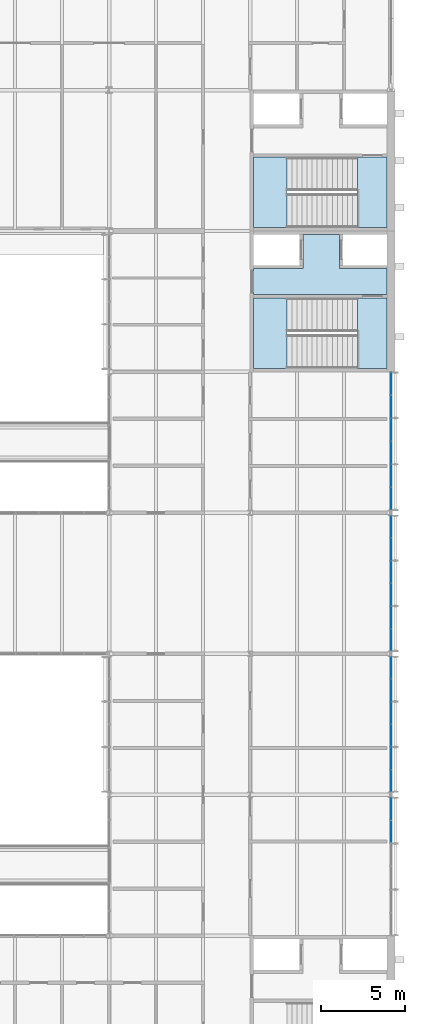
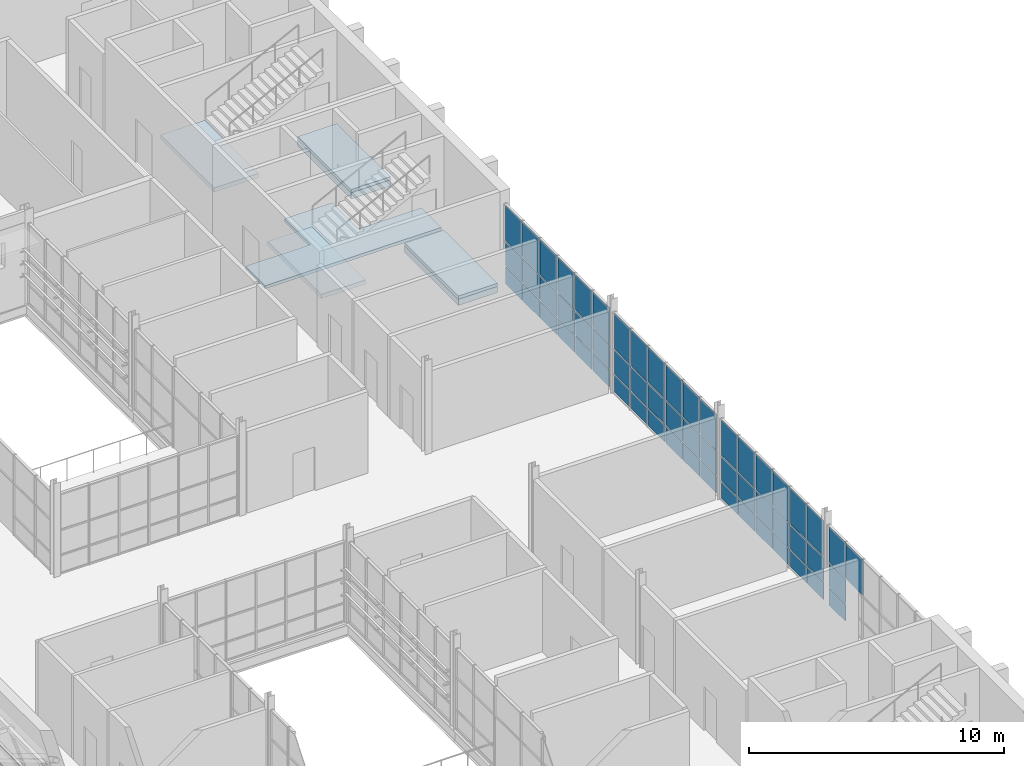
# One storey, part 80 of 129: 58 plates, 7 slabs, 6 elements without a shape of their own.
"""IFC4 building model written with IfcOpenShell, lengths in metres."""

from ifc_helpers import new_model, si_unit, direction, frame, origin, origin_2d, place, context, subcontext, project, spatial, polyline, rectangle, outline, extrude, material, layer, layer_set, type_object, element, aggregate, save


model = new_model("IFC4")

# Units and contexts
model_context = context("Model", 3, precision=1e-05, world=origin(), true_north=direction((0.0, 1.0)))
body_context = subcontext(model_context, "Body", "Model", "MODEL_VIEW")
ifc_project = project(units=[si_unit("LENGTHUNIT", "METRE"), si_unit("AREAUNIT", "SQUARE_METRE"), si_unit("VOLUMEUNIT", "CUBIC_METRE"), si_unit("PLANEANGLEUNIT", "RADIAN"), si_unit("MASSUNIT", "GRAM", prefix="KILO")], contexts=[model_context])

# Site, building, storey
site_placement = place(None, origin())
site = spatial("IfcSite", under=ifc_project, at=site_placement, CompositionType="ELEMENT")
building_placement = place(site_placement, origin())
building = spatial("IfcBuilding", under=site, at=building_placement, Name="Ardhachandra Cancer Care Centre", CompositionType="ELEMENT")
storey_placement = place(building_placement, frame((0.0, 0.0, 4.5)))
storey = spatial("IfcBuildingStorey", under=building, at=storey_placement, Name="L01", CompositionType="ELEMENT", Elevation=4.5)

# Slabs
ifc_material_1 = material(Name="Concrete M40", Category="concrete")
ifc_layer_1 = layer(ifc_material_1, 0.14990234375)
ifc_layer_set_1 = layer_set([ifc_layer_1], Name="Concrete M40")
slab_type_1 = type_object("IfcSlabType", Name="Core floor slab 150", PredefinedType="FLOOR", material=ifc_layer_set_1)
slab_1_placement = place(storey_placement, frame((0.0, 0.0, -0.14990234375)))
element("IfcSlab", 1, at=slab_1_placement, inside=storey, type_object=slab_type_1, Name="Core floor slab K10 L01 1", PredefinedType="FLOOR", context=body_context, shape_type="SweptSolid", body=[
    extrude(outline(polyline([(144.97509765625, 71.60009765625), (144.97509765625, 75.800048828125), (143.199951171875, 75.800048828125), (143.199951171875, 71.60009765625), (144.97509765625, 71.60009765625)])), origin(), (0.0, 0.0, 1.0), 0.14990234375),
])
slab_2_placement = place(storey_placement, frame((0.0, 0.0, -0.14990234375)))
element("IfcSlab", 2, at=slab_2_placement, inside=storey, type_object=slab_type_1, Name="Core floor slab K10 L01 2", PredefinedType="FLOOR", context=body_context, shape_type="SweptSolid", body=[
    extrude(outline(polyline([(139.949951171875, 79.60009765625), (139.949951171875, 77.75), (139.949951171875, 77.550048828125), (137.0, 77.550048828125), (137.0, 76.0), (144.97509765625, 76.0), (144.97509765625, 77.550048828125), (142.125, 77.550048828125), (142.125, 77.75), (142.125, 79.60009765625), (139.949951171875, 79.60009765625)])), origin(), (0.0, 0.0, 1.0), 0.14990234375),
])
slab_3_placement = place(storey_placement, frame((0.0, 0.0, -0.14990234375)))
element("IfcSlab", 3, at=slab_3_placement, inside=storey, type_object=slab_type_1, Name="Core floor slab K13 L01 1", PredefinedType="FLOOR", context=body_context, shape_type="SweptSolid", body=[
    extrude(outline(polyline([(144.97509765625, 80.0), (144.97509765625, 84.199951171875), (143.199951171875, 84.199951171875), (143.199951171875, 80.0), (144.97509765625, 80.0)])), origin(), (0.0, 0.0, 1.0), 0.14990234375),
])
ifc_material_2 = material(Name="Concrete M40", Category="concrete")
ifc_layer_2 = layer(ifc_material_2, 0.300048828125)
ifc_layer_set_2 = layer_set([ifc_layer_2], Name="Concrete M40")
slab_type_2 = type_object("IfcSlabType", Name="Core stair edge slab 300", PredefinedType="FLOOR", material=ifc_layer_set_2)
slab_4_placement = place(storey_placement, frame((0.0, 0.0, -0.449951171875)))
element("IfcSlab", 4, at=slab_4_placement, inside=storey, type_object=slab_type_2, Name="Core stair edge slab K10 L01", PredefinedType="FLOOR", context=body_context, shape_type="SweptSolid", body=[
    extrude(outline(polyline([(143.199951171875, 71.60009765625), (143.199951171875, 75.800048828125), (144.97509765625, 75.800048828125), (144.97509765625, 71.60009765625), (143.199951171875, 71.60009765625)])), origin(), (0.0, 0.0, 1.0), 0.300048828125),
])
slab_5_placement = place(storey_placement, frame((0.0, 0.0, -0.449951171875)))
element("IfcSlab", 5, at=slab_5_placement, inside=storey, type_object=slab_type_2, Name="Core stair edge slab K13 L01", PredefinedType="FLOOR", context=body_context, shape_type="SweptSolid", body=[
    extrude(outline(polyline([(143.199951171875, 80.0), (143.199951171875, 84.199951171875), (144.97509765625, 84.199951171875), (144.97509765625, 80.0), (143.199951171875, 80.0)])), origin(), (0.0, 0.0, 1.0), 0.300048828125),
])

# Curtain wall, plates
ifc_material_3 = material(Name="Aluminium extrusion", Category="aluminium")
ifc_layer_3 = layer(ifc_material_3, 0.14990234375)
ifc_layer_set_3 = layer_set([ifc_layer_3], Name="Aluminium extrusion")
curtain_wall_type = type_object("IfcCurtainWallType", Name="Curtain wall run", PredefinedType="NOTDEFINED", material=ifc_layer_set_3)
curtain_wall_1_placement = place(storey_placement, origin())
curtain_wall_1 = element("IfcCurtainWall", 6, at=curtain_wall_1_placement, inside=storey, type_object=curtain_wall_type, Name="Curtain wall L01 e/0145200_0037800", PredefinedType="NOTDEFINED")
ifc_material_4 = material(Name="Low-iron double-glazed unit")
ifc_layer_4 = layer(ifc_material_4, 0.028076171875)
ifc_layer_set_4 = layer_set([ifc_layer_4], Name="Low-iron double-glazed unit")
plate_type_1 = type_object("IfcPlateType", Name="Curtain wall glazing 28", PredefinedType="CURTAIN_PANEL", material=ifc_layer_set_4)
plate_1_placement = place(storey_placement, frame((145.199951171875, 43.9912109375, 2.1298828125), z_axis=(0.0, 0.0, 1.0), x_axis=(0.0, 1.0, 0.0)))
plate_1 = element("IfcPlate", 7, at=plate_1_placement, type_object=plate_type_1, Name="CW panel 5.3", PredefinedType="CURTAIN_PANEL", context=body_context, shape_type="SweptSolid", body=[
    extrude(rectangle(XDim=1.31591796875, YDim=0.028076171875, at=origin_2d()), origin(), (0.0, 0.0, 1.0), 1.696044921875),
])
plate_2_placement = place(storey_placement, frame((145.199951171875, 45.35205078125, 0.93017578125), z_axis=(0.0, 0.0, 1.0), x_axis=(0.0, 1.0, 0.0)))
plate_2 = element("IfcPlate", 8, at=plate_2_placement, type_object=plate_type_1, Name="CW panel 6.2", PredefinedType="CURTAIN_PANEL", context=body_context, shape_type="SweptSolid", body=[
    extrude(rectangle(XDim=1.285888671875, YDim=0.028076171875, at=origin_2d()), origin(), (0.0, 0.0, 1.0), 1.139892578125),
])
plate_3_placement = place(storey_placement, frame((145.199951171875, 45.35205078125, 2.1298828125), z_axis=(0.0, 0.0, 1.0), x_axis=(0.0, 1.0, 0.0)))
plate_3 = element("IfcPlate", 9, at=plate_3_placement, type_object=plate_type_1, Name="CW panel 6.3", PredefinedType="CURTAIN_PANEL", context=body_context, shape_type="SweptSolid", body=[
    extrude(rectangle(XDim=1.285888671875, YDim=0.028076171875, at=origin_2d()), origin(), (0.0, 0.0, 1.0), 1.696044921875),
])

curtain_wall_2_placement = place(storey_placement, origin())
curtain_wall_2 = element("IfcCurtainWall", 10, at=curtain_wall_2_placement, inside=storey, type_object=curtain_wall_type, Name="Curtain wall L01 e/0145200_0046200", PredefinedType="NOTDEFINED")
plate_4_placement = place(storey_placement, frame((145.199951171875, 47.035888671875, 0.93017578125), z_axis=(0.0, 0.0, 1.0), x_axis=(0.0, 1.0, 0.0)))
plate_4 = element("IfcPlate", 11, at=plate_4_placement, type_object=plate_type_1, Name="CW panel 1.2", PredefinedType="CURTAIN_PANEL", context=body_context, shape_type="SweptSolid", body=[
    extrude(rectangle(XDim=1.26171875, YDim=0.028076171875, at=origin_2d()), origin(), (0.0, 0.0, 1.0), 1.139892578125),
])
plate_5_placement = place(storey_placement, frame((145.199951171875, 47.035888671875, 2.1298828125), z_axis=(0.0, 0.0, 1.0), x_axis=(0.0, 1.0, 0.0)))
plate_5 = element("IfcPlate", 12, at=plate_5_placement, type_object=plate_type_1, Name="CW panel 1.3", PredefinedType="CURTAIN_PANEL", context=body_context, shape_type="SweptSolid", body=[
    extrude(rectangle(XDim=1.26171875, YDim=0.028076171875, at=origin_2d()), origin(), (0.0, 0.0, 1.0), 1.696044921875),
])
plate_6_placement = place(storey_placement, frame((145.199951171875, 48.37255859375, 0.93017578125), z_axis=(0.0, 0.0, 1.0), x_axis=(0.0, 1.0, 0.0)))
plate_6 = element("IfcPlate", 13, at=plate_6_placement, type_object=plate_type_1, Name="CW panel 2.2", PredefinedType="CURTAIN_PANEL", context=body_context, shape_type="SweptSolid", body=[
    extrude(rectangle(XDim=1.291748046875, YDim=0.028076171875, at=origin_2d()), origin(), (0.0, 0.0, 1.0), 1.139892578125),
])
plate_7_placement = place(storey_placement, frame((145.199951171875, 48.37255859375, 2.1298828125), z_axis=(0.0, 0.0, 1.0), x_axis=(0.0, 1.0, 0.0)))
plate_7 = element("IfcPlate", 14, at=plate_7_placement, type_object=plate_type_1, Name="CW panel 2.3", PredefinedType="CURTAIN_PANEL", context=body_context, shape_type="SweptSolid", body=[
    extrude(rectangle(XDim=1.291748046875, YDim=0.028076171875, at=origin_2d()), origin(), (0.0, 0.0, 1.0), 1.696044921875),
])
plate_8_placement = place(storey_placement, frame((145.199951171875, 49.72412109375, 0.93017578125), z_axis=(0.0, 0.0, 1.0), x_axis=(0.0, 1.0, 0.0)))
plate_8 = element("IfcPlate", 15, at=plate_8_placement, type_object=plate_type_1, Name="CW panel 3.2", PredefinedType="CURTAIN_PANEL", context=body_context, shape_type="SweptSolid", body=[
    extrude(rectangle(XDim=1.291748046875, YDim=0.028076171875, at=origin_2d()), origin(), (0.0, 0.0, 1.0), 1.139892578125),
])
plate_9_placement = place(storey_placement, frame((145.199951171875, 49.72412109375, 2.1298828125), z_axis=(0.0, 0.0, 1.0), x_axis=(0.0, 1.0, 0.0)))
plate_9 = element("IfcPlate", 16, at=plate_9_placement, type_object=plate_type_1, Name="CW panel 3.3", PredefinedType="CURTAIN_PANEL", context=body_context, shape_type="SweptSolid", body=[
    extrude(rectangle(XDim=1.291748046875, YDim=0.028076171875, at=origin_2d()), origin(), (0.0, 0.0, 1.0), 1.696044921875),
])
plate_10_placement = place(storey_placement, frame((145.199951171875, 51.075927734375, 0.93017578125), z_axis=(0.0, 0.0, 1.0), x_axis=(0.0, 1.0, 0.0)))
plate_10 = element("IfcPlate", 17, at=plate_10_placement, type_object=plate_type_1, Name="CW panel 4.2", PredefinedType="CURTAIN_PANEL", context=body_context, shape_type="SweptSolid", body=[
    extrude(rectangle(XDim=1.291748046875, YDim=0.028076171875, at=origin_2d()), origin(), (0.0, 0.0, 1.0), 1.139892578125),
])
plate_11_placement = place(storey_placement, frame((145.199951171875, 51.075927734375, 2.1298828125), z_axis=(0.0, 0.0, 1.0), x_axis=(0.0, 1.0, 0.0)))
plate_11 = element("IfcPlate", 18, at=plate_11_placement, type_object=plate_type_1, Name="CW panel 4.3", PredefinedType="CURTAIN_PANEL", context=body_context, shape_type="SweptSolid", body=[
    extrude(rectangle(XDim=1.291748046875, YDim=0.028076171875, at=origin_2d()), origin(), (0.0, 0.0, 1.0), 1.696044921875),
])
plate_12_placement = place(storey_placement, frame((145.199951171875, 52.427490234375, 0.93017578125), z_axis=(0.0, 0.0, 1.0), x_axis=(0.0, 1.0, 0.0)))
plate_12 = element("IfcPlate", 19, at=plate_12_placement, type_object=plate_type_1, Name="CW panel 5.2", PredefinedType="CURTAIN_PANEL", context=body_context, shape_type="SweptSolid", body=[
    extrude(rectangle(XDim=1.291748046875, YDim=0.028076171875, at=origin_2d()), origin(), (0.0, 0.0, 1.0), 1.139892578125),
])
plate_13_placement = place(storey_placement, frame((145.199951171875, 52.427490234375, 2.1298828125), z_axis=(0.0, 0.0, 1.0), x_axis=(0.0, 1.0, 0.0)))
plate_13 = element("IfcPlate", 20, at=plate_13_placement, type_object=plate_type_1, Name="CW panel 5.3", PredefinedType="CURTAIN_PANEL", context=body_context, shape_type="SweptSolid", body=[
    extrude(rectangle(XDim=1.291748046875, YDim=0.028076171875, at=origin_2d()), origin(), (0.0, 0.0, 1.0), 1.696044921875),
])
plate_14_placement = place(storey_placement, frame((145.199951171875, 53.76416015625, 0.93017578125), z_axis=(0.0, 0.0, 1.0), x_axis=(0.0, 1.0, 0.0)))
plate_14 = element("IfcPlate", 21, at=plate_14_placement, type_object=plate_type_1, Name="CW panel 6.2", PredefinedType="CURTAIN_PANEL", context=body_context, shape_type="SweptSolid", body=[
    extrude(rectangle(XDim=1.26171875, YDim=0.028076171875, at=origin_2d()), origin(), (0.0, 0.0, 1.0), 1.139892578125),
])
plate_15_placement = place(storey_placement, frame((145.199951171875, 53.76416015625, 2.1298828125), z_axis=(0.0, 0.0, 1.0), x_axis=(0.0, 1.0, 0.0)))
plate_15 = element("IfcPlate", 22, at=plate_15_placement, type_object=plate_type_1, Name="CW panel 6.3", PredefinedType="CURTAIN_PANEL", context=body_context, shape_type="SweptSolid", body=[
    extrude(rectangle(XDim=1.26171875, YDim=0.028076171875, at=origin_2d()), origin(), (0.0, 0.0, 1.0), 1.696044921875),
])

curtain_wall_3_placement = place(storey_placement, origin())
curtain_wall_3 = element("IfcCurtainWall", 23, at=curtain_wall_3_placement, inside=storey, type_object=curtain_wall_type, Name="Curtain wall L01 e/0145200_0054600", PredefinedType="NOTDEFINED")
plate_16_placement = place(storey_placement, frame((145.199951171875, 55.435791015625, 0.93017578125), z_axis=(0.0, 0.0, 1.0), x_axis=(0.0, 1.0, 0.0)))
plate_16 = element("IfcPlate", 24, at=plate_16_placement, type_object=plate_type_1, Name="CW panel 1.2", PredefinedType="CURTAIN_PANEL", context=body_context, shape_type="SweptSolid", body=[
    extrude(rectangle(XDim=1.26171875, YDim=0.028076171875, at=origin_2d()), origin(), (0.0, 0.0, 1.0), 1.139892578125),
])
plate_17_placement = place(storey_placement, frame((145.199951171875, 55.435791015625, 2.1298828125), z_axis=(0.0, 0.0, 1.0), x_axis=(0.0, 1.0, 0.0)))
plate_17 = element("IfcPlate", 25, at=plate_17_placement, type_object=plate_type_1, Name="CW panel 1.3", PredefinedType="CURTAIN_PANEL", context=body_context, shape_type="SweptSolid", body=[
    extrude(rectangle(XDim=1.26171875, YDim=0.028076171875, at=origin_2d()), origin(), (0.0, 0.0, 1.0), 1.696044921875),
])
plate_18_placement = place(storey_placement, frame((145.199951171875, 56.7724609375, 0.93017578125), z_axis=(0.0, 0.0, 1.0), x_axis=(0.0, 1.0, 0.0)))
plate_18 = element("IfcPlate", 26, at=plate_18_placement, type_object=plate_type_1, Name="CW panel 2.2", PredefinedType="CURTAIN_PANEL", context=body_context, shape_type="SweptSolid", body=[
    extrude(rectangle(XDim=1.291748046875, YDim=0.028076171875, at=origin_2d()), origin(), (0.0, 0.0, 1.0), 1.139892578125),
])
plate_19_placement = place(storey_placement, frame((145.199951171875, 56.7724609375, 2.1298828125), z_axis=(0.0, 0.0, 1.0), x_axis=(0.0, 1.0, 0.0)))
plate_19 = element("IfcPlate", 27, at=plate_19_placement, type_object=plate_type_1, Name="CW panel 2.3", PredefinedType="CURTAIN_PANEL", context=body_context, shape_type="SweptSolid", body=[
    extrude(rectangle(XDim=1.291748046875, YDim=0.028076171875, at=origin_2d()), origin(), (0.0, 0.0, 1.0), 1.696044921875),
])
plate_20_placement = place(storey_placement, frame((145.199951171875, 58.124267578125, 0.93017578125), z_axis=(0.0, 0.0, 1.0), x_axis=(0.0, 1.0, 0.0)))
plate_20 = element("IfcPlate", 28, at=plate_20_placement, type_object=plate_type_1, Name="CW panel 3.2", PredefinedType="CURTAIN_PANEL", context=body_context, shape_type="SweptSolid", body=[
    extrude(rectangle(XDim=1.291748046875, YDim=0.028076171875, at=origin_2d()), origin(), (0.0, 0.0, 1.0), 1.139892578125),
])
plate_21_placement = place(storey_placement, frame((145.199951171875, 58.124267578125, 2.1298828125), z_axis=(0.0, 0.0, 1.0), x_axis=(0.0, 1.0, 0.0)))
plate_21 = element("IfcPlate", 29, at=plate_21_placement, type_object=plate_type_1, Name="CW panel 3.3", PredefinedType="CURTAIN_PANEL", context=body_context, shape_type="SweptSolid", body=[
    extrude(rectangle(XDim=1.291748046875, YDim=0.028076171875, at=origin_2d()), origin(), (0.0, 0.0, 1.0), 1.696044921875),
])
plate_22_placement = place(storey_placement, frame((145.199951171875, 59.475830078125, 0.93017578125), z_axis=(0.0, 0.0, 1.0), x_axis=(0.0, 1.0, 0.0)))
plate_22 = element("IfcPlate", 30, at=plate_22_placement, type_object=plate_type_1, Name="CW panel 4.2", PredefinedType="CURTAIN_PANEL", context=body_context, shape_type="SweptSolid", body=[
    extrude(rectangle(XDim=1.291748046875, YDim=0.028076171875, at=origin_2d()), origin(), (0.0, 0.0, 1.0), 1.139892578125),
])
plate_23_placement = place(storey_placement, frame((145.199951171875, 59.475830078125, 2.1298828125), z_axis=(0.0, 0.0, 1.0), x_axis=(0.0, 1.0, 0.0)))
plate_23 = element("IfcPlate", 31, at=plate_23_placement, type_object=plate_type_1, Name="CW panel 4.3", PredefinedType="CURTAIN_PANEL", context=body_context, shape_type="SweptSolid", body=[
    extrude(rectangle(XDim=1.291748046875, YDim=0.028076171875, at=origin_2d()), origin(), (0.0, 0.0, 1.0), 1.696044921875),
])
plate_24_placement = place(storey_placement, frame((145.199951171875, 60.827392578125, 0.93017578125), z_axis=(0.0, 0.0, 1.0), x_axis=(0.0, 1.0, 0.0)))
plate_24 = element("IfcPlate", 32, at=plate_24_placement, type_object=plate_type_1, Name="CW panel 5.2", PredefinedType="CURTAIN_PANEL", context=body_context, shape_type="SweptSolid", body=[
    extrude(rectangle(XDim=1.291748046875, YDim=0.028076171875, at=origin_2d()), origin(), (0.0, 0.0, 1.0), 1.139892578125),
])
plate_25_placement = place(storey_placement, frame((145.199951171875, 60.827392578125, 2.1298828125), z_axis=(0.0, 0.0, 1.0), x_axis=(0.0, 1.0, 0.0)))
plate_25 = element("IfcPlate", 33, at=plate_25_placement, type_object=plate_type_1, Name="CW panel 5.3", PredefinedType="CURTAIN_PANEL", context=body_context, shape_type="SweptSolid", body=[
    extrude(rectangle(XDim=1.291748046875, YDim=0.028076171875, at=origin_2d()), origin(), (0.0, 0.0, 1.0), 1.696044921875),
])
plate_26_placement = place(storey_placement, frame((145.199951171875, 62.1640625, 0.93017578125), z_axis=(0.0, 0.0, 1.0), x_axis=(0.0, 1.0, 0.0)))
plate_26 = element("IfcPlate", 34, at=plate_26_placement, type_object=plate_type_1, Name="CW panel 6.2", PredefinedType="CURTAIN_PANEL", context=body_context, shape_type="SweptSolid", body=[
    extrude(rectangle(XDim=1.26171875, YDim=0.028076171875, at=origin_2d()), origin(), (0.0, 0.0, 1.0), 1.139892578125),
])
plate_27_placement = place(storey_placement, frame((145.199951171875, 62.1640625, 2.1298828125), z_axis=(0.0, 0.0, 1.0), x_axis=(0.0, 1.0, 0.0)))
plate_27 = element("IfcPlate", 35, at=plate_27_placement, type_object=plate_type_1, Name="CW panel 6.3", PredefinedType="CURTAIN_PANEL", context=body_context, shape_type="SweptSolid", body=[
    extrude(rectangle(XDim=1.26171875, YDim=0.028076171875, at=origin_2d()), origin(), (0.0, 0.0, 1.0), 1.696044921875),
])

curtain_wall_4_placement = place(storey_placement, origin())
curtain_wall_4 = element("IfcCurtainWall", 36, at=curtain_wall_4_placement, inside=storey, type_object=curtain_wall_type, Name="Curtain wall L01 e/0145200_0063000", PredefinedType="NOTDEFINED")
plate_28_placement = place(storey_placement, frame((145.199951171875, 63.847900390625, 0.93017578125), z_axis=(0.0, 0.0, 1.0), x_axis=(0.0, 1.0, 0.0)))
plate_28 = element("IfcPlate", 37, at=plate_28_placement, type_object=plate_type_1, Name="CW panel 1.2", PredefinedType="CURTAIN_PANEL", context=body_context, shape_type="SweptSolid", body=[
    extrude(rectangle(XDim=1.285888671875, YDim=0.028076171875, at=origin_2d()), origin(), (0.0, 0.0, 1.0), 1.139892578125),
])
plate_29_placement = place(storey_placement, frame((145.199951171875, 63.847900390625, 2.1298828125), z_axis=(0.0, 0.0, 1.0), x_axis=(0.0, 1.0, 0.0)))
plate_29 = element("IfcPlate", 38, at=plate_29_placement, type_object=plate_type_1, Name="CW panel 1.3", PredefinedType="CURTAIN_PANEL", context=body_context, shape_type="SweptSolid", body=[
    extrude(rectangle(XDim=1.285888671875, YDim=0.028076171875, at=origin_2d()), origin(), (0.0, 0.0, 1.0), 1.696044921875),
])
plate_30_placement = place(storey_placement, frame((145.199951171875, 65.208740234375, 0.93017578125), z_axis=(0.0, 0.0, 1.0), x_axis=(0.0, 1.0, 0.0)))
plate_30 = element("IfcPlate", 39, at=plate_30_placement, type_object=plate_type_1, Name="CW panel 2.2", PredefinedType="CURTAIN_PANEL", context=body_context, shape_type="SweptSolid", body=[
    extrude(rectangle(XDim=1.31591796875, YDim=0.028076171875, at=origin_2d()), origin(), (0.0, 0.0, 1.0), 1.139892578125),
])
plate_31_placement = place(storey_placement, frame((145.199951171875, 65.208740234375, 2.1298828125), z_axis=(0.0, 0.0, 1.0), x_axis=(0.0, 1.0, 0.0)))
plate_31 = element("IfcPlate", 40, at=plate_31_placement, type_object=plate_type_1, Name="CW panel 2.3", PredefinedType="CURTAIN_PANEL", context=body_context, shape_type="SweptSolid", body=[
    extrude(rectangle(XDim=1.31591796875, YDim=0.028076171875, at=origin_2d()), origin(), (0.0, 0.0, 1.0), 1.696044921875),
])
plate_32_placement = place(storey_placement, frame((145.199951171875, 66.58447265625, 0.93017578125), z_axis=(0.0, 0.0, 1.0), x_axis=(0.0, 1.0, 0.0)))
plate_32 = element("IfcPlate", 41, at=plate_32_placement, type_object=plate_type_1, Name="CW panel 3.2", PredefinedType="CURTAIN_PANEL", context=body_context, shape_type="SweptSolid", body=[
    extrude(rectangle(XDim=1.31591796875, YDim=0.028076171875, at=origin_2d()), origin(), (0.0, 0.0, 1.0), 1.139892578125),
])
plate_33_placement = place(storey_placement, frame((145.199951171875, 66.58447265625, 2.1298828125), z_axis=(0.0, 0.0, 1.0), x_axis=(0.0, 1.0, 0.0)))
plate_33 = element("IfcPlate", 42, at=plate_33_placement, type_object=plate_type_1, Name="CW panel 3.3", PredefinedType="CURTAIN_PANEL", context=body_context, shape_type="SweptSolid", body=[
    extrude(rectangle(XDim=1.31591796875, YDim=0.028076171875, at=origin_2d()), origin(), (0.0, 0.0, 1.0), 1.696044921875),
])
plate_34_placement = place(storey_placement, frame((145.199951171875, 67.96044921875, 0.93017578125), z_axis=(0.0, 0.0, 1.0), x_axis=(0.0, 1.0, 0.0)))
plate_34 = element("IfcPlate", 43, at=plate_34_placement, type_object=plate_type_1, Name="CW panel 4.2", PredefinedType="CURTAIN_PANEL", context=body_context, shape_type="SweptSolid", body=[
    extrude(rectangle(XDim=1.31591796875, YDim=0.028076171875, at=origin_2d()), origin(), (0.0, 0.0, 1.0), 1.139892578125),
])
plate_35_placement = place(storey_placement, frame((145.199951171875, 67.96044921875, 2.1298828125), z_axis=(0.0, 0.0, 1.0), x_axis=(0.0, 1.0, 0.0)))
plate_35 = element("IfcPlate", 44, at=plate_35_placement, type_object=plate_type_1, Name="CW panel 4.3", PredefinedType="CURTAIN_PANEL", context=body_context, shape_type="SweptSolid", body=[
    extrude(rectangle(XDim=1.31591796875, YDim=0.028076171875, at=origin_2d()), origin(), (0.0, 0.0, 1.0), 1.696044921875),
])
plate_36_placement = place(storey_placement, frame((145.199951171875, 69.336181640625, 0.93017578125), z_axis=(0.0, 0.0, 1.0), x_axis=(0.0, 1.0, 0.0)))
plate_36 = element("IfcPlate", 45, at=plate_36_placement, type_object=plate_type_1, Name="CW panel 5.2", PredefinedType="CURTAIN_PANEL", context=body_context, shape_type="SweptSolid", body=[
    extrude(rectangle(XDim=1.31591796875, YDim=0.028076171875, at=origin_2d()), origin(), (0.0, 0.0, 1.0), 1.139892578125),
])
plate_37_placement = place(storey_placement, frame((145.199951171875, 69.336181640625, 2.1298828125), z_axis=(0.0, 0.0, 1.0), x_axis=(0.0, 1.0, 0.0)))
plate_37 = element("IfcPlate", 46, at=plate_37_placement, type_object=plate_type_1, Name="CW panel 5.3", PredefinedType="CURTAIN_PANEL", context=body_context, shape_type="SweptSolid", body=[
    extrude(rectangle(XDim=1.31591796875, YDim=0.028076171875, at=origin_2d()), origin(), (0.0, 0.0, 1.0), 1.696044921875),
])
plate_38_placement = place(storey_placement, frame((145.199951171875, 70.697021484375, 0.93017578125), z_axis=(0.0, 0.0, 1.0), x_axis=(0.0, 1.0, 0.0)))
plate_38 = element("IfcPlate", 47, at=plate_38_placement, type_object=plate_type_1, Name="CW panel 6.2", PredefinedType="CURTAIN_PANEL", context=body_context, shape_type="SweptSolid", body=[
    extrude(rectangle(XDim=1.285888671875, YDim=0.028076171875, at=origin_2d()), origin(), (0.0, 0.0, 1.0), 1.139892578125),
])
plate_39_placement = place(storey_placement, frame((145.199951171875, 70.697021484375, 2.1298828125), z_axis=(0.0, 0.0, 1.0), x_axis=(0.0, 1.0, 0.0)))
plate_39 = element("IfcPlate", 48, at=plate_39_placement, type_object=plate_type_1, Name="CW panel 6.3", PredefinedType="CURTAIN_PANEL", context=body_context, shape_type="SweptSolid", body=[
    extrude(rectangle(XDim=1.285888671875, YDim=0.028076171875, at=origin_2d()), origin(), (0.0, 0.0, 1.0), 1.696044921875),
])

# Plate
ifc_material_5 = material(Name="Aluminium composite spandrel panel", Category="aluminium")
ifc_layer_5 = layer(ifc_material_5, 0.028076171875)
ifc_layer_set_5 = layer_set([ifc_layer_5], Name="Aluminium composite spandrel panel")
plate_type_2 = type_object("IfcPlateType", Name="Curtain wall spandrel panel 28", PredefinedType="CURTAIN_PANEL", material=ifc_layer_set_5)
plate_40_placement = place(storey_placement, frame((145.199951171875, 45.35205078125, 0.06005859375), z_axis=(0.0, 0.0, 1.0), x_axis=(0.0, 1.0, 0.0)))
plate_40 = element("IfcPlate", 49, at=plate_40_placement, type_object=plate_type_2, Name="CW panel 6.1", PredefinedType="CURTAIN_PANEL", context=body_context, shape_type="SweptSolid", body=[
    extrude(rectangle(XDim=1.285888671875, YDim=0.028076171875, at=origin_2d()), origin(), (0.0, 0.0, 1.0), 0.81005859375),
])

aggregate(curtain_wall_1, [plate_1, plate_40, plate_2, plate_3])

plate_41_placement = place(storey_placement, frame((145.199951171875, 47.035888671875, 0.06005859375), z_axis=(0.0, 0.0, 1.0), x_axis=(0.0, 1.0, 0.0)))
plate_41 = element("IfcPlate", 50, at=plate_41_placement, type_object=plate_type_2, Name="CW panel 1.1", PredefinedType="CURTAIN_PANEL", context=body_context, shape_type="SweptSolid", body=[
    extrude(rectangle(XDim=1.26171875, YDim=0.028076171875, at=origin_2d()), origin(), (0.0, 0.0, 1.0), 0.81005859375),
])

plate_42_placement = place(storey_placement, frame((145.199951171875, 48.37255859375, 0.06005859375), z_axis=(0.0, 0.0, 1.0), x_axis=(0.0, 1.0, 0.0)))
plate_42 = element("IfcPlate", 51, at=plate_42_placement, type_object=plate_type_2, Name="CW panel 2.1", PredefinedType="CURTAIN_PANEL", context=body_context, shape_type="SweptSolid", body=[
    extrude(rectangle(XDim=1.291748046875, YDim=0.028076171875, at=origin_2d()), origin(), (0.0, 0.0, 1.0), 0.81005859375),
])

plate_43_placement = place(storey_placement, frame((145.199951171875, 49.72412109375, 0.06005859375), z_axis=(0.0, 0.0, 1.0), x_axis=(0.0, 1.0, 0.0)))
plate_43 = element("IfcPlate", 52, at=plate_43_placement, type_object=plate_type_2, Name="CW panel 3.1", PredefinedType="CURTAIN_PANEL", context=body_context, shape_type="SweptSolid", body=[
    extrude(rectangle(XDim=1.291748046875, YDim=0.028076171875, at=origin_2d()), origin(), (0.0, 0.0, 1.0), 0.81005859375),
])

plate_44_placement = place(storey_placement, frame((145.199951171875, 51.075927734375, 0.06005859375), z_axis=(0.0, 0.0, 1.0), x_axis=(0.0, 1.0, 0.0)))
plate_44 = element("IfcPlate", 53, at=plate_44_placement, type_object=plate_type_2, Name="CW panel 4.1", PredefinedType="CURTAIN_PANEL", context=body_context, shape_type="SweptSolid", body=[
    extrude(rectangle(XDim=1.291748046875, YDim=0.028076171875, at=origin_2d()), origin(), (0.0, 0.0, 1.0), 0.81005859375),
])

plate_45_placement = place(storey_placement, frame((145.199951171875, 52.427490234375, 0.06005859375), z_axis=(0.0, 0.0, 1.0), x_axis=(0.0, 1.0, 0.0)))
plate_45 = element("IfcPlate", 54, at=plate_45_placement, type_object=plate_type_2, Name="CW panel 5.1", PredefinedType="CURTAIN_PANEL", context=body_context, shape_type="SweptSolid", body=[
    extrude(rectangle(XDim=1.291748046875, YDim=0.028076171875, at=origin_2d()), origin(), (0.0, 0.0, 1.0), 0.81005859375),
])

plate_46_placement = place(storey_placement, frame((145.199951171875, 53.76416015625, 0.06005859375), z_axis=(0.0, 0.0, 1.0), x_axis=(0.0, 1.0, 0.0)))
plate_46 = element("IfcPlate", 55, at=plate_46_placement, type_object=plate_type_2, Name="CW panel 6.1", PredefinedType="CURTAIN_PANEL", context=body_context, shape_type="SweptSolid", body=[
    extrude(rectangle(XDim=1.26171875, YDim=0.028076171875, at=origin_2d()), origin(), (0.0, 0.0, 1.0), 0.81005859375),
])

aggregate(curtain_wall_2, [plate_41, plate_4, plate_5, plate_42, plate_6, plate_7, plate_43, plate_8, plate_9, plate_44, plate_10, plate_11, plate_45, plate_12, plate_13, plate_46, plate_14, plate_15])

plate_47_placement = place(storey_placement, frame((145.199951171875, 55.435791015625, 0.06005859375), z_axis=(0.0, 0.0, 1.0), x_axis=(0.0, 1.0, 0.0)))
plate_47 = element("IfcPlate", 56, at=plate_47_placement, type_object=plate_type_2, Name="CW panel 1.1", PredefinedType="CURTAIN_PANEL", context=body_context, shape_type="SweptSolid", body=[
    extrude(rectangle(XDim=1.26171875, YDim=0.028076171875, at=origin_2d()), origin(), (0.0, 0.0, 1.0), 0.81005859375),
])

plate_48_placement = place(storey_placement, frame((145.199951171875, 56.7724609375, 0.06005859375), z_axis=(0.0, 0.0, 1.0), x_axis=(0.0, 1.0, 0.0)))
plate_48 = element("IfcPlate", 57, at=plate_48_placement, type_object=plate_type_2, Name="CW panel 2.1", PredefinedType="CURTAIN_PANEL", context=body_context, shape_type="SweptSolid", body=[
    extrude(rectangle(XDim=1.291748046875, YDim=0.028076171875, at=origin_2d()), origin(), (0.0, 0.0, 1.0), 0.81005859375),
])

plate_49_placement = place(storey_placement, frame((145.199951171875, 58.124267578125, 0.06005859375), z_axis=(0.0, 0.0, 1.0), x_axis=(0.0, 1.0, 0.0)))
plate_49 = element("IfcPlate", 58, at=plate_49_placement, type_object=plate_type_2, Name="CW panel 3.1", PredefinedType="CURTAIN_PANEL", context=body_context, shape_type="SweptSolid", body=[
    extrude(rectangle(XDim=1.291748046875, YDim=0.028076171875, at=origin_2d()), origin(), (0.0, 0.0, 1.0), 0.81005859375),
])

plate_50_placement = place(storey_placement, frame((145.199951171875, 59.475830078125, 0.06005859375), z_axis=(0.0, 0.0, 1.0), x_axis=(0.0, 1.0, 0.0)))
plate_50 = element("IfcPlate", 59, at=plate_50_placement, type_object=plate_type_2, Name="CW panel 4.1", PredefinedType="CURTAIN_PANEL", context=body_context, shape_type="SweptSolid", body=[
    extrude(rectangle(XDim=1.291748046875, YDim=0.028076171875, at=origin_2d()), origin(), (0.0, 0.0, 1.0), 0.81005859375),
])

plate_51_placement = place(storey_placement, frame((145.199951171875, 60.827392578125, 0.06005859375), z_axis=(0.0, 0.0, 1.0), x_axis=(0.0, 1.0, 0.0)))
plate_51 = element("IfcPlate", 60, at=plate_51_placement, type_object=plate_type_2, Name="CW panel 5.1", PredefinedType="CURTAIN_PANEL", context=body_context, shape_type="SweptSolid", body=[
    extrude(rectangle(XDim=1.291748046875, YDim=0.028076171875, at=origin_2d()), origin(), (0.0, 0.0, 1.0), 0.81005859375),
])

plate_52_placement = place(storey_placement, frame((145.199951171875, 62.1640625, 0.06005859375), z_axis=(0.0, 0.0, 1.0), x_axis=(0.0, 1.0, 0.0)))
plate_52 = element("IfcPlate", 61, at=plate_52_placement, type_object=plate_type_2, Name="CW panel 6.1", PredefinedType="CURTAIN_PANEL", context=body_context, shape_type="SweptSolid", body=[
    extrude(rectangle(XDim=1.26171875, YDim=0.028076171875, at=origin_2d()), origin(), (0.0, 0.0, 1.0), 0.81005859375),
])

aggregate(curtain_wall_3, [plate_47, plate_16, plate_17, plate_48, plate_18, plate_19, plate_49, plate_20, plate_21, plate_50, plate_22, plate_23, plate_51, plate_24, plate_25, plate_52, plate_26, plate_27])

plate_53_placement = place(storey_placement, frame((145.199951171875, 63.847900390625, 0.06005859375), z_axis=(0.0, 0.0, 1.0), x_axis=(0.0, 1.0, 0.0)))
plate_53 = element("IfcPlate", 62, at=plate_53_placement, type_object=plate_type_2, Name="CW panel 1.1", PredefinedType="CURTAIN_PANEL", context=body_context, shape_type="SweptSolid", body=[
    extrude(rectangle(XDim=1.285888671875, YDim=0.028076171875, at=origin_2d()), origin(), (0.0, 0.0, 1.0), 0.81005859375),
])

plate_54_placement = place(storey_placement, frame((145.199951171875, 65.208740234375, 0.06005859375), z_axis=(0.0, 0.0, 1.0), x_axis=(0.0, 1.0, 0.0)))
plate_54 = element("IfcPlate", 63, at=plate_54_placement, type_object=plate_type_2, Name="CW panel 2.1", PredefinedType="CURTAIN_PANEL", context=body_context, shape_type="SweptSolid", body=[
    extrude(rectangle(XDim=1.31591796875, YDim=0.028076171875, at=origin_2d()), origin(), (0.0, 0.0, 1.0), 0.81005859375),
])

plate_55_placement = place(storey_placement, frame((145.199951171875, 66.58447265625, 0.06005859375), z_axis=(0.0, 0.0, 1.0), x_axis=(0.0, 1.0, 0.0)))
plate_55 = element("IfcPlate", 64, at=plate_55_placement, type_object=plate_type_2, Name="CW panel 3.1", PredefinedType="CURTAIN_PANEL", context=body_context, shape_type="SweptSolid", body=[
    extrude(rectangle(XDim=1.31591796875, YDim=0.028076171875, at=origin_2d()), origin(), (0.0, 0.0, 1.0), 0.81005859375),
])

plate_56_placement = place(storey_placement, frame((145.199951171875, 67.96044921875, 0.06005859375), z_axis=(0.0, 0.0, 1.0), x_axis=(0.0, 1.0, 0.0)))
plate_56 = element("IfcPlate", 65, at=plate_56_placement, type_object=plate_type_2, Name="CW panel 4.1", PredefinedType="CURTAIN_PANEL", context=body_context, shape_type="SweptSolid", body=[
    extrude(rectangle(XDim=1.31591796875, YDim=0.028076171875, at=origin_2d()), origin(), (0.0, 0.0, 1.0), 0.81005859375),
])

plate_57_placement = place(storey_placement, frame((145.199951171875, 69.336181640625, 0.06005859375), z_axis=(0.0, 0.0, 1.0), x_axis=(0.0, 1.0, 0.0)))
plate_57 = element("IfcPlate", 66, at=plate_57_placement, type_object=plate_type_2, Name="CW panel 5.1", PredefinedType="CURTAIN_PANEL", context=body_context, shape_type="SweptSolid", body=[
    extrude(rectangle(XDim=1.31591796875, YDim=0.028076171875, at=origin_2d()), origin(), (0.0, 0.0, 1.0), 0.81005859375),
])

plate_58_placement = place(storey_placement, frame((145.199951171875, 70.697021484375, 0.06005859375), z_axis=(0.0, 0.0, 1.0), x_axis=(0.0, 1.0, 0.0)))
plate_58 = element("IfcPlate", 67, at=plate_58_placement, type_object=plate_type_2, Name="CW panel 6.1", PredefinedType="CURTAIN_PANEL", context=body_context, shape_type="SweptSolid", body=[
    extrude(rectangle(XDim=1.285888671875, YDim=0.028076171875, at=origin_2d()), origin(), (0.0, 0.0, 1.0), 0.81005859375),
])

aggregate(curtain_wall_4, [plate_53, plate_28, plate_29, plate_54, plate_30, plate_31, plate_55, plate_32, plate_33, plate_56, plate_34, plate_35, plate_57, plate_36, plate_37, plate_58, plate_38, plate_39])

# Stair, slab
ifc_material_6 = material(Name="Concrete M40", Category="concrete")
stair_type = type_object("IfcStairType", Name="Dog-leg stair 2000", PredefinedType="HALF_TURN_STAIR", material=ifc_material_6)
stair_1_placement = place(storey_placement, origin())
stair_1 = element("IfcStair", 68, at=stair_1_placement, inside=storey, type_object=stair_type, Name="Stair K10 L01-L02", PredefinedType="HALF_TURN_STAIR")
ifc_material_7 = material(Name="Concrete M40", Category="concrete")
ifc_layer_6 = layer(ifc_material_7, 0.199951171875)
ifc_layer_set_6 = layer_set([ifc_layer_6], Name="Concrete M40")
slab_type_3 = type_object("IfcSlabType", Name="Stair landing 200", PredefinedType="LANDING", material=ifc_layer_set_6)
slab_6_placement = place(storey_placement, frame((0.0, 0.0, 2.050048828125)))
slab_6 = element("IfcSlab", 69, at=slab_6_placement, type_object=slab_type_3, Name="stair K10 L01-L02 landing 1", PredefinedType="LANDING", context=body_context, shape_type="SweptSolid", body=[
    extrude(outline(polyline([(137.0, 71.60009765625), (139.0, 71.60009765625), (139.0, 75.800048828125), (137.0, 75.800048828125), (137.0, 71.60009765625)])), origin(), (0.0, 0.0, 1.0), 0.199951171875),
])
aggregate(stair_1, [slab_6])

stair_2_placement = place(storey_placement, origin())
stair_2 = element("IfcStair", 70, at=stair_2_placement, inside=storey, type_object=stair_type, Name="Stair K13 L01-L02", PredefinedType="HALF_TURN_STAIR")
slab_7_placement = place(storey_placement, frame((0.0, 0.0, 2.050048828125)))
slab_7 = element("IfcSlab", 71, at=slab_7_placement, type_object=slab_type_3, Name="stair K13 L01-L02 landing 1", PredefinedType="LANDING", context=body_context, shape_type="SweptSolid", body=[
    extrude(outline(polyline([(137.0, 80.0), (139.0, 80.0), (139.0, 84.199951171875), (137.0, 84.199951171875), (137.0, 80.0)])), origin(), (0.0, 0.0, 1.0), 0.199951171875),
])
aggregate(stair_2, [slab_7])

save(model, "model.ifc")
